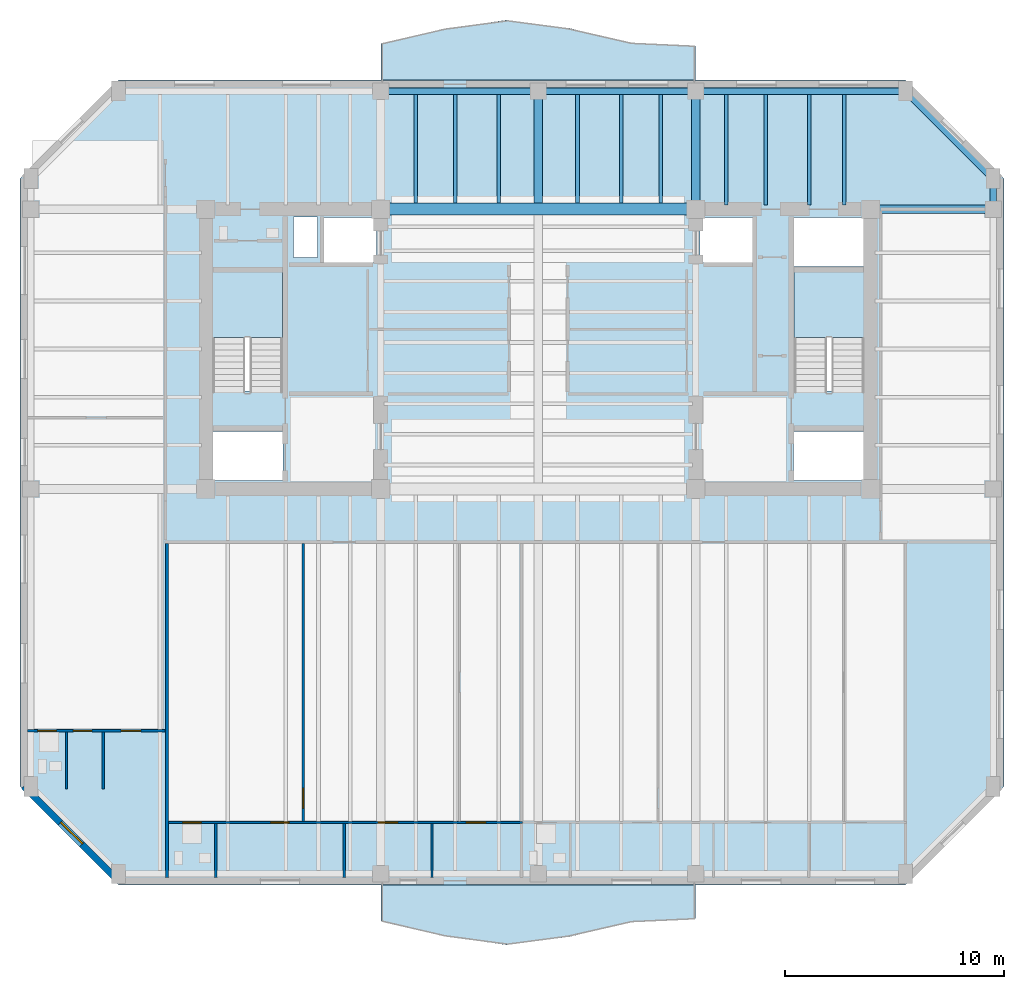
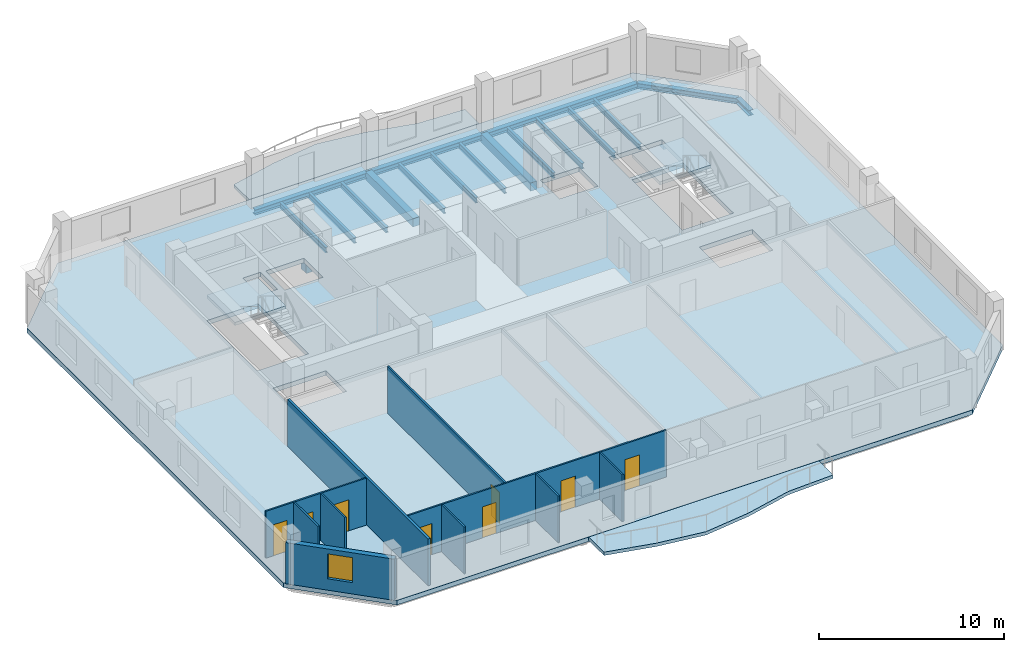
# One storey, part 2 of 11: 19 beams, 10 walls, 8 doors, 5 slabs, 1 window, 9 openings, 2 elements without a shape of their own.
"""IFC4 building model written with IfcOpenShell, lengths in metres."""

from ifc_helpers import new_model, si_unit, direction, frame, frame_2d, origin, origin_2d, place, context, subcontext, project, spatial, polyline, rectangle, i_section, outline, extrude, material, layer, layer_set, material_profile, profile_set, type_object, element, fill, aggregate, save


model = new_model("IFC4")

# Units and contexts
model_context = context("Model", 3, precision=1e-05, world=origin(), true_north=direction((0.0, 1.0)))
body_context = subcontext(model_context, "Body", "Model", "MODEL_VIEW")
ifc_project = project(units=[si_unit("LENGTHUNIT", "METRE"), si_unit("AREAUNIT", "SQUARE_METRE"), si_unit("VOLUMEUNIT", "CUBIC_METRE"), si_unit("PLANEANGLEUNIT", "RADIAN"), si_unit("MASSUNIT", "GRAM", prefix="KILO")], contexts=[model_context])

# Site, building, storey
site_placement = place(None, origin())
site = spatial("IfcSite", under=ifc_project, at=site_placement, CompositionType="ELEMENT")
building_placement = place(site_placement, origin())
building = spatial("IfcBuilding", under=site, at=building_placement, Name="Kranthara Brick Stack", CompositionType="ELEMENT")
storey_placement = place(building_placement, frame((0.0, 0.0, 210.89990234375)))
storey = spatial("IfcBuildingStorey", under=building, at=storey_placement, Name="L54", CompositionType="ELEMENT", Elevation=210.89990234375)

# Beams
ifc_material_1 = material(Name="Concrete C50/60", Category="concrete")
ifc_material_profile_1 = material_profile(ifc_material_1, rectangle(XDim=0.550048828125, YDim=0.85009765625, at=origin_2d()), Name="RC 550x850")
ifc_profile_set_1 = profile_set([ifc_material_profile_1], Name="Concrete C50/60")
beam_type_1 = type_object("IfcBeamType", Name="BM-CPL-RC850", PredefinedType="LINTEL", material=ifc_profile_set_1)
beam_1_placement = place(storey_placement, frame((20.800048828125, 33.60009765625, -0.724853515625), z_axis=(1.0, 0.0, 0.0), x_axis=(0.0, 1.0, 0.0)))
element("IfcBeam", 1, at=beam_1_placement, inside=storey, type_object=beam_type_1, Name="L54 Core Coupling Beam 002", PredefinedType="LINTEL", context=body_context, shape_type="SweptSolid", body=[
    extrude(rectangle(XDim=0.550048828125, YDim=0.85009765625, at=origin_2d()), origin(), (0.0, 0.0, 1.0), 14.39990234375),
])
ifc_material_2 = material(Name="Post-tensioned concrete C45/55", Category="concrete")
ifc_material_profile_2 = material_profile(ifc_material_2, rectangle(XDim=0.39990234375, YDim=0.550048828125, at=origin_2d()), Name="PT 400x550")
ifc_profile_set_2 = profile_set([ifc_material_profile_2], Name="Post-tensioned concrete C45/55")
beam_type_2 = type_object("IfcBeamType", Name="BM-FLR-PT550", PredefinedType="BEAM", material=ifc_profile_set_2)
beam_2_placement = place(storey_placement, frame((28.0, 33.875, -0.574951171875), z_axis=(0.0, 1.0, 0.0), x_axis=(-1.0, 0.0, 0.0)))
element("IfcBeam", 2, at=beam_2_placement, inside=storey, type_object=beam_type_2, Name="L54 Primary Grid Girder 027", PredefinedType="BEAM", context=body_context, shape_type="SweptSolid", body=[
    extrude(rectangle(XDim=0.39990234375, YDim=0.550048828125, at=origin_2d()), origin(), (0.0, 0.0, 1.0), 5.125),
])
beam_3_placement = place(storey_placement, frame((35.199951171875, 33.60009765625, -0.574951171875), z_axis=(0.0, 1.0, 0.0), x_axis=(-1.0, 0.0, 0.0)))
element("IfcBeam", 3, at=beam_3_placement, inside=storey, type_object=beam_type_2, Name="L54 Primary Grid Girder 029", PredefinedType="BEAM", context=body_context, shape_type="SweptSolid", body=[
    extrude(rectangle(XDim=0.39990234375, YDim=0.550048828125, at=origin_2d()), origin(), (0.0, 0.0, 1.0), 5.39990234375),
])
beam_4_placement = place(storey_placement, frame((43.199951171875, 33.60009765625, -0.574951171875), z_axis=(1.0, 0.0, 0.0), x_axis=(0.0, 1.0, 0.0)))
element("IfcBeam", 4, at=beam_4_placement, inside=storey, type_object=beam_type_2, Name="L54 Primary Grid Girder 033", PredefinedType="BEAM", context=body_context, shape_type="SweptSolid", body=[
    extrude(rectangle(XDim=0.39990234375, YDim=0.550048828125, at=origin_2d()), origin(), (0.0, 0.0, 1.0), 5.60009765625),
])
ifc_material_3 = material(Name="Steel S355", Category="steel")
ifc_material_profile_3 = material_profile(ifc_material_3, i_section(OverallWidth=0.169921875, OverallDepth=0.360107421875, WebThickness=0.008056640625, FlangeThickness=0.0126953125, at=origin_2d()), Name="IPE 360")
ifc_profile_set_3 = profile_set([ifc_material_profile_3], Name="Steel S355")
beam_type_3 = type_object("IfcBeamType", Name="BM-JST-IPE360", PredefinedType="JOIST", material=ifc_profile_set_3)
for number, where, z_axis, x_axis, name in (
    (5, (22.39990234375, 33.875, -0.47998046875), (0.0, 1.0, 0.0), (-1.0, 0.0, 0.0), "L54 North Wing Floor Joist 063"),
    (6, (24.199951171875, 33.875, -0.47998046875), (0.0, 1.0, 0.0), (-1.0, 0.0, 0.0), "L54 North Wing Floor Joist 065"),
    (7, (26.199951171875, 33.875, -0.47998046875), (0.0, 1.0, 0.0), (-1.0, 0.0, 0.0), "L54 North Wing Floor Joist 067"),
    (8, (29.800048828125, 33.875, -0.47998046875), (0.0, 1.0, 0.0), (-1.0, 0.0, 0.0), "L54 North Wing Floor Joist 069"),
    (9, (31.800048828125, 33.875, -0.47998046875), (0.0, 1.0, 0.0), (-1.0, 0.0, 0.0), "L54 North Wing Floor Joist 071"),
    (10, (33.60009765625, 33.875, -0.47998046875), (0.0, 1.0, 0.0), (-1.0, 0.0, 0.0), "L54 North Wing Floor Joist 073"),
):
    element("IfcBeam", number, at=place(storey_placement, frame(where, z_axis=z_axis, x_axis=x_axis)), inside=storey, type_object=beam_type_3, Name=name, PredefinedType="JOIST", context=body_context, shape_type="SweptSolid", body=[
        extrude(i_section(OverallWidth=0.169921875, OverallDepth=0.360107421875, WebThickness=0.008056640625, FlangeThickness=0.0126953125, at=origin_2d()), origin(), (0.0, 0.0, 1.0), 4.97509765625),
    ])
for number, where, z_axis, x_axis, name in (
    (11, (36.60009765625, 33.800048828125, -0.47998046875), (0.0, 1.0, 0.0), (-1.0, 0.0, 0.0), "L54 North Wing Floor Joist 075"),
    (12, (38.39990234375, 33.800048828125, -0.47998046875), (0.0, 1.0, 0.0), (-1.0, 0.0, 0.0), "L54 North Wing Floor Joist 077"),
    (13, (40.39990234375, 33.800048828125, -0.47998046875), (0.0, 1.0, 0.0), (-1.0, 0.0, 0.0), "L54 North Wing Floor Joist 079"),
    (14, (42.0, 33.800048828125, -0.47998046875), (0.0, 1.0, 0.0), (-1.0, 0.0, 0.0), "L54 North Wing Floor Joist 081"),
):
    element("IfcBeam", number, at=place(storey_placement, frame(where, z_axis=z_axis, x_axis=x_axis)), inside=storey, type_object=beam_type_3, Name=name, PredefinedType="JOIST", context=body_context, shape_type="SweptSolid", body=[
        extrude(i_section(OverallWidth=0.169921875, OverallDepth=0.360107421875, WebThickness=0.008056640625, FlangeThickness=0.0126953125, at=origin_2d()), origin(), (0.0, 0.0, 1.0), 5.050048828125),
    ])
ifc_material_4 = material(Name="Steel S355", Category="steel")
ifc_material_profile_4 = material_profile(ifc_material_4, i_section(OverallWidth=0.300048828125, OverallDepth=0.360107421875, WebThickness=0.012451171875, FlangeThickness=0.0224609375, at=origin_2d()), Name="HEB 360")
ifc_profile_set_4 = profile_set([ifc_material_profile_4], Name="Steel S355")
beam_type_4 = type_object("IfcBeamType", Name="BM-STL-HEB360", PredefinedType="SPANDREL", material=ifc_profile_set_4)
for number, where, z_axis, x_axis, name in (
    (15, (20.800048828125, 39.0, -0.47998046875), (1.0, 0.0, 0.0), (0.0, 1.0, 0.0), "L54 Perimeter Spandrel Beam 010"),
    (16, (28.0, 39.0, -0.47998046875), (1.0, 0.0, 0.0), (0.0, 1.0, 0.0), "L54 Perimeter Spandrel Beam 011"),
):
    element("IfcBeam", number, at=place(storey_placement, frame(where, z_axis=z_axis, x_axis=x_axis)), inside=storey, type_object=beam_type_4, Name=name, PredefinedType="SPANDREL", context=body_context, shape_type="SweptSolid", body=[
        extrude(i_section(OverallWidth=0.300048828125, OverallDepth=0.360107421875, WebThickness=0.012451171875, FlangeThickness=0.0224609375, at=origin_2d()), origin(), (0.0, 0.0, 1.0), 7.199951171875),
    ])
beam_5_placement = place(storey_placement, frame((35.199951171875, 39.0, -0.47998046875), z_axis=(1.0, 0.0, 0.0), x_axis=(0.0, 1.0, 0.0)))
element("IfcBeam", 17, at=beam_5_placement, inside=storey, type_object=beam_type_4, Name="L54 Perimeter Spandrel Beam 012", PredefinedType="SPANDREL", context=body_context, shape_type="SweptSolid", body=[
    extrude(i_section(OverallWidth=0.300048828125, OverallDepth=0.360107421875, WebThickness=0.012451171875, FlangeThickness=0.0224609375, at=origin_2d()), origin(), (0.0, 0.0, 1.0), 9.60009765625),
])
beam_6_placement = place(storey_placement, frame((48.800048828125, 33.60009765625, -0.47998046875), z_axis=(0.0, 1.0, 0.0), x_axis=(-1.0, 0.0, 0.0)))
element("IfcBeam", 18, at=beam_6_placement, inside=storey, type_object=beam_type_4, Name="L54 Perimeter Spandrel Beam 018", PredefinedType="SPANDREL", context=body_context, shape_type="SweptSolid", body=[
    extrude(i_section(OverallWidth=0.300048828125, OverallDepth=0.360107421875, WebThickness=0.012451171875, FlangeThickness=0.0224609375, at=origin_2d()), origin(), (0.0, 0.0, 1.0), 1.39990234375),
])
beam_7_placement = place(storey_placement, frame((44.800048828125, 39.0, -0.47998046875), z_axis=(0.707106781187, -0.707106781187, 0.0), x_axis=(0.707106781187, 0.707106781187, 0.0)))
element("IfcBeam", 19, at=beam_7_placement, inside=storey, type_object=beam_type_4, Name="L54 Chamfer Corner Spandrel 022", PredefinedType="SPANDREL", context=body_context, shape_type="SweptSolid", body=[
    extrude(i_section(OverallWidth=0.300048828125, OverallDepth=0.360107421875, WebThickness=0.012451171875, FlangeThickness=0.0224609375, at=origin_2d()), origin(), (0.0, 0.0, 1.0), 5.65673828125),
])

# Slabs
ifc_material_5 = material(Name="Concrete C45/55", Category="concrete")
ifc_layer_1 = layer(ifc_material_5, 0.219970703125)
ifc_layer_set_1 = layer_set([ifc_layer_1], Name="Concrete C45/55")
slab_type_1 = type_object("IfcSlabType", Name="SLB-BALC-220", PredefinedType="FLOOR", material=ifc_layer_set_1)
slab_1_placement = place(storey_placement, frame((0.0, 0.0, -0.219970703125)))
element("IfcSlab", 20, at=slab_1_placement, inside=storey, type_object=slab_type_1, Name="L54 South Rippling Balcony Slab", PredefinedType="FLOOR", context=body_context, shape_type="SweptSolid", body=[
    extrude(outline(polyline([(20.800048828125, 2.699951171875), (35.199951171875, 2.699951171875), (35.199951171875, 1.150146484375), (32.320068359375, 1.015625), (29.43994140625, 0.3271484375), (26.56005859375, -0.0498046875), (23.679931640625, 0.359130859375), (20.800048828125, 1.03955078125), (20.800048828125, 2.699951171875)])), origin(), (0.0, 0.0, 1.0), 0.219970703125),
])
slab_2_placement = place(storey_placement, frame((0.0, 0.0, -0.219970703125)))
element("IfcSlab", 21, at=slab_2_placement, inside=storey, type_object=slab_type_1, Name="L54 North Rippling Balcony Slab", PredefinedType="FLOOR", context=body_context, shape_type="SweptSolid", body=[
    extrude(outline(polyline([(35.199951171875, 39.5), (20.800048828125, 39.5), (20.800048828125, 41.16064453125), (23.679931640625, 41.8408203125), (26.56005859375, 42.249755859375), (29.43994140625, 41.872802734375), (32.320068359375, 41.184326171875), (35.199951171875, 41.0498046875), (35.199951171875, 39.5)])), origin(), (0.0, 0.0, 1.0), 0.219970703125),
])

# Stair, slab
ifc_material_6 = material(Name="Concrete C45/55", Category="concrete")
stair_type = type_object("IfcStairType", Name="ST-CORE-20R", PredefinedType="HALF_TURN_STAIR", material=ifc_material_6)
stair_1_placement = place(storey_placement, origin())
stair_1 = element("IfcStair", 22, at=stair_1_placement, inside=storey, type_object=stair_type, Name="L54 West Core Protected Exit Stair ST01", PredefinedType="HALF_TURN_STAIR")
ifc_material_7 = material(Name="Concrete C45/55", Category="concrete")
ifc_layer_2 = layer(ifc_material_7, 0.199951171875)
ifc_layer_set_2 = layer_set([ifc_layer_2], Name="Concrete C45/55")
slab_type_2 = type_object("IfcSlabType", Name="SLB-LANDING-200", PredefinedType="LANDING", material=ifc_layer_set_2)
slab_3_placement = place(storey_placement, frame((0.0, 0.0, 1.5)))
slab_3 = element("IfcSlab", 23, at=slab_3_placement, type_object=slab_type_2, Name="ST01 landing 1", PredefinedType="LANDING", context=body_context, shape_type="SweptSolid", body=[
    extrude(outline(polyline([(16.300048828125, 27.719970703125), (16.300048828125, 30.75), (13.10009765625, 30.75), (13.10009765625, 27.719970703125), (16.300048828125, 27.719970703125)])), origin(), (0.0, 0.0, 1.0), 0.2001953125),
])
aggregate(stair_1, [slab_3])

stair_2_placement = place(storey_placement, origin())
stair_2 = element("IfcStair", 24, at=stair_2_placement, inside=storey, type_object=stair_type, Name="L54 East Core Protected Exit Stair ST02", PredefinedType="HALF_TURN_STAIR")
slab_4_placement = place(storey_placement, frame((0.0, 0.0, 1.5)))
slab_4 = element("IfcSlab", 25, at=slab_4_placement, type_object=slab_type_2, Name="ST02 landing 1", PredefinedType="LANDING", context=body_context, shape_type="SweptSolid", body=[
    extrude(outline(polyline([(42.89990234375, 27.719970703125), (42.89990234375, 30.75), (39.699951171875, 30.75), (39.699951171875, 27.719970703125), (42.89990234375, 27.719970703125)])), origin(), (0.0, 0.0, 1.0), 0.2001953125),
])
aggregate(stair_2, [slab_4])

# Slab
ifc_material_8 = material(Name="Post-tensioned concrete C45/55", Category="concrete")
ifc_layer_3 = layer(ifc_material_8, 0.300048828125)
ifc_layer_set_3 = layer_set([ifc_layer_3], Name="Post-tensioned concrete C45/55")
slab_type_3 = type_object("IfcSlabType", Name="SLB-TWR-300", PredefinedType="FLOOR", material=ifc_layer_set_3)
slab_5_placement = place(storey_placement, frame((0.0, 0.0, -0.2998046875)))
element("IfcSlab", 26, at=slab_5_placement, inside=storey, type_object=slab_type_3, Name="L54 Structural Floor Plate", PredefinedType="FLOOR", context=body_context, shape_type="SweptSolid", body=[
    extrude(outline(polyline([(8.800048828125, 2.699951171875), (44.800048828125, 2.699951171875), (49.300048828125, 7.199951171875), (49.300048828125, 35.0), (44.800048828125, 39.5), (8.800048828125, 39.5), (4.300048828125, 35.0), (4.300048828125, 7.199951171875), (8.800048828125, 2.699951171875)]), holes=[polyline([(13.10009765625, 25.280029296875), (16.300048828125, 25.280029296875), (16.300048828125, 30.75), (13.10009765625, 30.75), (13.10009765625, 25.280029296875)]), polyline([(39.699951171875, 25.280029296875), (42.89990234375, 25.280029296875), (42.89990234375, 30.75), (39.699951171875, 30.75), (39.699951171875, 25.280029296875)]), polyline([(13.0, 21.179931640625), (16.320068359375, 21.179931640625), (16.320068359375, 23.419921875), (13.0, 23.419921875), (13.0, 21.179931640625)]), polyline([(39.679931640625, 21.179931640625), (43.0, 21.179931640625), (43.0, 23.419921875), (39.679931640625, 23.419921875), (39.679931640625, 21.179931640625)]), polyline([(39.679931640625, 30.97998046875), (43.0, 30.97998046875), (43.0, 33.219970703125), (39.679931640625, 33.219970703125), (39.679931640625, 30.97998046875)]), polyline([(18.199951171875, 31.14990234375), (20.60009765625, 31.14990234375), (20.60009765625, 33.219970703125), (18.199951171875, 33.219970703125), (18.199951171875, 31.14990234375)]), polyline([(35.39990234375, 31.14990234375), (37.800048828125, 31.14990234375), (37.800048828125, 33.219970703125), (35.39990234375, 33.219970703125), (35.39990234375, 31.14990234375)]), polyline([(16.800048828125, 31.39990234375), (17.89990234375, 31.39990234375), (17.89990234375, 33.25), (16.800048828125, 33.25), (16.800048828125, 31.39990234375)])]), origin(), (0.0, 0.0, 1.0), 0.2998046875),
])

# Wall, opening, window
ifc_material_9 = material(Name="Warm buff clay brick masonry M15", Category="masonry")
ifc_layer_4 = layer(ifc_material_9, 0.320068359375)
ifc_layer_set_4 = layer_set([ifc_layer_4], Name="Warm buff clay brick masonry M15")
wall_type_1 = type_object("IfcWallType", Name="WL-BRK-UPPR-320", PredefinedType="STANDARD", material=ifc_layer_set_4)
wall_1_placement = place(storey_placement, frame((8.800048828125, 2.8798828125, 0.0), z_axis=(0.0, 0.0, 1.0), x_axis=(-0.707106781187, 0.707106781187, 0.0)))
wall_1 = element("IfcWall", 27, at=wall_1_placement, inside=storey, type_object=wall_type_1, Name="L54 Exterior Brick Facade Wall SW 1", PredefinedType="STANDARD", context=body_context, shape_type="SweptSolid", body=[
    extrude(rectangle(XDim=6.109619140625, YDim=0.320068359375, at=frame_2d((3.0546875, 0.0))), origin(), (0.0, 0.0, 1.0), 2.72509765625),
])
opening_1_placement = place(wall_1_placement, frame((2.35498046875, 0.0, 0.75)))
opening_1 = element("IfcOpeningElement", 28, at=opening_1_placement, cuts=wall_1, Name="Opening WN10", PredefinedType="OPENING", context=body_context, shape_type="SweptSolid", body=[
    extrude(rectangle(XDim=1.39990234375, YDim=1.64990234375, at=frame_2d((0.699951171875, 0.824951171875))), frame((0.0, 0.169921875, 0.0), z_axis=(0.0, -1.0, 0.0), x_axis=(1.0, 0.0, 0.0)), (0.0, 0.0, 1.0), 0.340087890625),
])
ifc_material_10 = material(Name="Double-glazed low-E solar control glass", Category="glass")
window_type = type_object("IfcWindowType", Name="WN-CHM-1400x1750", PartitioningType="SINGLE_PANEL", PredefinedType="WINDOW", material=ifc_material_10)
window_placement = place(opening_1_placement, origin())
window = element("IfcWindow", 29, at=window_placement, inside=storey, type_object=window_type, Name="L54 SW Chamfer Corner Window", OverallHeight=1.64990234375, OverallWidth=1.39990234375, PartitioningType="SINGLE_PANEL", PredefinedType="WINDOW", context=body_context, shape_type="SweptSolid", body=[
    extrude(rectangle(XDim=1.39990234375, YDim=1.64990234375, at=frame_2d((0.699951171875, 0.824951171875))), frame((0.0, -0.010009765625, 0.0), z_axis=(0.0, -1.0, 0.0), x_axis=(1.0, 0.0, 0.0)), (0.0, 0.0, 1.0), 0.06005859375),
])
fill(opening_1, window)

# Wall, openings, doors
ifc_material_11 = material(Name="Moisture-resistant wet-room partition", Category="other")
ifc_layer_5 = layer(ifc_material_11, 0.10009765625)
ifc_layer_set_5 = layer_set([ifc_layer_5], Name="Moisture-resistant wet-room partition")
wall_type_2 = type_object("IfcWallType", Name="WL-PART-100", PredefinedType="PARTITIONING", material=ifc_layer_set_5)
wall_2_placement = place(storey_placement, frame((11.10009765625, 5.550048828125, 0.0), z_axis=(0.0, 0.0, 1.0), x_axis=(1.0, 0.0, 0.0)))
wall_2 = element("IfcWall", 30, at=wall_2_placement, inside=storey, type_object=wall_type_2, Name="L54 Interior Partition 014", PredefinedType="PARTITIONING", context=body_context, shape_type="SweptSolid", body=[
    extrude(rectangle(XDim=16.173828125, YDim=0.10009765625, at=frame_2d((8.0869140625, 0.0))), origin(), (0.0, 0.0, 1.0), 3.10009765625),
])
opening_2_placement = place(wall_2_placement, frame((0.64990234375, 0.0, 0.0)))
opening_2 = element("IfcOpeningElement", 31, at=opening_2_placement, cuts=wall_2, Name="Opening D17", PredefinedType="OPENING", context=body_context, shape_type="SweptSolid", body=[
    extrude(rectangle(XDim=0.85009765625, YDim=2.050048828125, at=frame_2d((0.425048828125, 1.02490234375))), frame((0.0, 0.06005859375, 0.0), z_axis=(0.0, -1.0, 0.0), x_axis=(1.0, 0.0, 0.0)), (0.0, 0.0, 1.0), 0.1201171875),
])
opening_3_placement = place(wall_2_placement, frame((4.6640625, 0.0, 0.0)))
opening_3 = element("IfcOpeningElement", 32, at=opening_3_placement, cuts=wall_2, Name="Opening D16", PredefinedType="OPENING", context=body_context, shape_type="SweptSolid", body=[
    extrude(rectangle(XDim=0.85009765625, YDim=2.050048828125, at=frame_2d((0.425048828125, 1.02490234375))), frame((0.0, 0.06005859375, 0.0), z_axis=(0.0, -1.0, 0.0), x_axis=(1.0, 0.0, 0.0)), (0.0, 0.0, 1.0), 0.1201171875),
])
opening_4_placement = place(wall_2_placement, frame((9.583984375, 0.0, 0.0)))
opening_4 = element("IfcOpeningElement", 33, at=opening_4_placement, cuts=wall_2, Name="Opening D15", PredefinedType="OPENING", context=body_context, shape_type="SweptSolid", body=[
    extrude(rectangle(XDim=0.89990234375, YDim=2.050048828125, at=frame_2d((0.449951171875, 1.02490234375))), frame((0.0, 0.06005859375, 0.0), z_axis=(0.0, -1.0, 0.0), x_axis=(1.0, 0.0, 0.0)), (0.0, 0.0, 1.0), 0.1201171875),
])
opening_5_placement = place(wall_2_placement, frame((13.597900390625, 0.0, 0.0)))
opening_5 = element("IfcOpeningElement", 34, at=opening_5_placement, cuts=wall_2, Name="Opening D15", PredefinedType="OPENING", context=body_context, shape_type="SweptSolid", body=[
    extrude(rectangle(XDim=0.89990234375, YDim=2.050048828125, at=frame_2d((0.449951171875, 1.02490234375))), frame((0.0, 0.06005859375, 0.0), z_axis=(0.0, -1.0, 0.0), x_axis=(1.0, 0.0, 0.0)), (0.0, 0.0, 1.0), 0.1201171875),
])
ifc_material_12 = material(Name="Solid-core hardwood timber leaf in steel frame", Category="steel")
door_type_1 = type_object("IfcDoorType", Name="DR-INT-850", OperationType="NOTDEFINED", PredefinedType="DOOR", material=ifc_material_12)
door_1_placement = place(opening_3_placement, origin())
door_1 = element("IfcDoor", 35, at=door_1_placement, inside=storey, type_object=door_type_1, Name="L54 Unit L54A Kitchen 14", OperationType="SINGLE_SWING_RIGHT", OverallHeight=2.050048828125, OverallWidth=0.85009765625, PredefinedType="DOOR", context=body_context, shape_type="SweptSolid", body=[
    extrude(rectangle(XDim=0.85009765625, YDim=2.050048828125, at=frame_2d((0.425048828125, 1.02490234375))), frame((0.0, 0.02490234375, 0.0), z_axis=(0.0, -1.0, 0.0), x_axis=(1.0, 0.0, 0.0)), (0.0, 0.0, 1.0), 0.050048828125),
])
fill(opening_3, door_1)
ifc_material_13 = material(Name="Solid-core hardwood timber leaf in steel frame", Category="steel")
door_type_2 = type_object("IfcDoorType", Name="DR-INT-900", OperationType="NOTDEFINED", PredefinedType="DOOR", material=ifc_material_13)
door_2_placement = place(opening_4_placement, origin())
door_2 = element("IfcDoor", 36, at=door_2_placement, inside=storey, type_object=door_type_2, Name="L54 Unit L54A Master Bedroom 15", OperationType="SINGLE_SWING_LEFT", OverallHeight=2.050048828125, OverallWidth=0.89990234375, PredefinedType="DOOR", context=body_context, shape_type="SweptSolid", body=[
    extrude(rectangle(XDim=0.89990234375, YDim=2.050048828125, at=frame_2d((0.449951171875, 1.02490234375))), frame((0.0, 0.02490234375, 0.0), z_axis=(0.0, -1.0, 0.0), x_axis=(1.0, 0.0, 0.0)), (0.0, 0.0, 1.0), 0.050048828125),
])
fill(opening_4, door_2)
door_3_placement = place(opening_5_placement, origin())
door_3 = element("IfcDoor", 37, at=door_3_placement, inside=storey, type_object=door_type_2, Name="L54 Unit L54A Bedroom 2 16", OperationType="SINGLE_SWING_RIGHT", OverallHeight=2.050048828125, OverallWidth=0.89990234375, PredefinedType="DOOR", context=body_context, shape_type="SweptSolid", body=[
    extrude(rectangle(XDim=0.89990234375, YDim=2.050048828125, at=frame_2d((0.449951171875, 1.02490234375))), frame((0.0, 0.02490234375, 0.0), z_axis=(0.0, -1.0, 0.0), x_axis=(1.0, 0.0, 0.0)), (0.0, 0.0, 1.0), 0.050048828125),
])
fill(opening_5, door_3)
ifc_material_14 = material(Name="Solid-core hardwood timber leaf in steel frame", Category="steel")
door_type_3 = type_object("IfcDoorType", Name="DR-WET-850", OperationType="NOTDEFINED", PredefinedType="DOOR", material=ifc_material_14)
door_4_placement = place(opening_2_placement, origin())
door_4 = element("IfcDoor", 38, at=door_4_placement, inside=storey, type_object=door_type_3, Name="L54 Unit L54A Bathroom 13", OperationType="SINGLE_SWING_LEFT", OverallHeight=2.050048828125, OverallWidth=0.85009765625, PredefinedType="DOOR", context=body_context, shape_type="SweptSolid", body=[
    extrude(rectangle(XDim=0.85009765625, YDim=2.050048828125, at=frame_2d((0.425048828125, 1.02490234375))), frame((0.0, 0.02490234375, 0.0), z_axis=(0.0, -1.0, 0.0), x_axis=(1.0, 0.0, 0.0)), (0.0, 0.0, 1.0), 0.050048828125),
])
fill(opening_2, door_4)

# Wall, opening, door
wall_3_placement = place(storey_placement, frame((17.256103515625, 5.60498046875, 0.0), z_axis=(0.0, 0.0, 1.0), x_axis=(0.0, 1.0, 0.0)))
wall_3 = element("IfcWall", 39, at=wall_3_placement, inside=storey, type_object=wall_type_2, Name="L54 Interior Partition 016", PredefinedType="PARTITIONING", context=body_context, shape_type="SweptSolid", body=[
    extrude(rectangle(XDim=12.695068359375, YDim=0.10009765625, at=frame_2d((6.34765625, 0.0))), origin(), (0.0, 0.0, 1.0), 3.10009765625),
])
opening_6_placement = place(wall_3_placement, frame((0.60498046875, 0.0, 0.0)))
opening_6 = element("IfcOpeningElement", 40, at=opening_6_placement, cuts=wall_3, Name="Opening D15", PredefinedType="OPENING", context=body_context, shape_type="SweptSolid", body=[
    extrude(rectangle(XDim=0.89990234375, YDim=2.050048828125, at=frame_2d((0.449951171875, 1.02490234375))), frame((0.0, 0.06005859375, 0.0), z_axis=(0.0, -1.0, 0.0), x_axis=(1.0, 0.0, 0.0)), (0.0, 0.0, 1.0), 0.1201171875),
])
door_5_placement = place(opening_6_placement, origin())
door_5 = element("IfcDoor", 41, at=door_5_placement, inside=storey, type_object=door_type_2, Name="L54 Unit L54A Study 12", OperationType="SINGLE_SWING_RIGHT", OverallHeight=2.050048828125, OverallWidth=0.89990234375, PredefinedType="DOOR", context=body_context, shape_type="SweptSolid", body=[
    extrude(rectangle(XDim=0.89990234375, YDim=2.050048828125, at=frame_2d((0.449951171875, 1.02490234375))), frame((0.0, 0.02490234375, 0.0), z_axis=(0.0, -1.0, 0.0), x_axis=(1.0, 0.0, 0.0)), (0.0, 0.0, 1.0), 0.050048828125),
])
fill(opening_6, door_5)

# Walls
for number, where, z_axis, x_axis, name in (
    (42, (13.25, 3.044921875, 0.0), (0.0, 0.0, 1.0), (0.0, 1.0, 0.0), "L54 Interior Partition 017"),
    (43, (19.126953125, 3.044921875, 0.0), (0.0, 0.0, 1.0), (0.0, 1.0, 0.0), "L54 Interior Partition 018"),
    (44, (23.14111328125, 3.044921875, 0.0), (0.0, 0.0, 1.0), (0.0, 1.0, 0.0), "L54 Interior Partition 019"),
):
    element("IfcWall", number, at=place(storey_placement, frame(where, z_axis=z_axis, x_axis=x_axis)), inside=storey, type_object=wall_type_2, Name=name, PredefinedType="PARTITIONING", context=body_context, shape_type="SweptSolid", body=[
        extrude(rectangle(XDim=2.4501953125, YDim=0.10009765625, at=frame_2d((1.22509765625, 0.0))), origin(), (0.0, 0.0, 1.0), 3.10009765625),
    ])

# Wall, openings, doors
wall_4_placement = place(storey_placement, frame((4.64501953125, 9.75, 0.0), z_axis=(0.0, 0.0, 1.0), x_axis=(1.0, 0.0, 0.0)))
wall_4 = element("IfcWall", 45, at=wall_4_placement, inside=storey, type_object=wall_type_2, Name="L54 Interior Partition 033", PredefinedType="PARTITIONING", context=body_context, shape_type="SweptSolid", body=[
    extrude(rectangle(XDim=6.294921875, YDim=0.10009765625, at=frame_2d((3.1474609375, 0.0))), origin(), (0.0, 0.0, 1.0), 3.10009765625),
])
opening_7_placement = place(wall_4_placement, frame((0.471923828125, 0.0, 0.0)))
opening_7 = element("IfcOpeningElement", 46, at=opening_7_placement, cuts=wall_4, Name="Opening D17", PredefinedType="OPENING", context=body_context, shape_type="SweptSolid", body=[
    extrude(rectangle(XDim=0.85009765625, YDim=2.050048828125, at=frame_2d((0.425048828125, 1.02490234375))), frame((0.0, 0.06005859375, 0.0), z_axis=(0.0, -1.0, 0.0), x_axis=(1.0, 0.0, 0.0)), (0.0, 0.0, 1.0), 0.1201171875),
])
opening_8_placement = place(wall_4_placement, frame((2.092041015625, 0.0, 0.0)))
opening_8 = element("IfcOpeningElement", 47, at=opening_8_placement, cuts=wall_4, Name="Opening D16", PredefinedType="OPENING", context=body_context, shape_type="SweptSolid", body=[
    extrude(rectangle(XDim=0.85009765625, YDim=2.050048828125, at=frame_2d((0.425048828125, 1.02490234375))), frame((0.0, 0.06005859375, 0.0), z_axis=(0.0, -1.0, 0.0), x_axis=(1.0, 0.0, 0.0)), (0.0, 0.0, 1.0), 0.1201171875),
])
opening_9_placement = place(wall_4_placement, frame((4.284912109375, 0.0, 0.0)))
opening_9 = element("IfcOpeningElement", 48, at=opening_9_placement, cuts=wall_4, Name="Opening D15", PredefinedType="OPENING", context=body_context, shape_type="SweptSolid", body=[
    extrude(rectangle(XDim=0.89990234375, YDim=2.050048828125, at=frame_2d((0.449951171875, 1.02490234375))), frame((0.0, 0.06005859375, 0.0), z_axis=(0.0, -1.0, 0.0), x_axis=(1.0, 0.0, 0.0)), (0.0, 0.0, 1.0), 0.1201171875),
])
door_6_placement = place(opening_8_placement, origin())
door_6 = element("IfcDoor", 49, at=door_6_placement, inside=storey, type_object=door_type_1, Name="L54 Unit L54C Kitchen 27", OperationType="SINGLE_SWING_LEFT", OverallHeight=2.050048828125, OverallWidth=0.85009765625, PredefinedType="DOOR", context=body_context, shape_type="SweptSolid", body=[
    extrude(rectangle(XDim=0.85009765625, YDim=2.050048828125, at=frame_2d((0.425048828125, 1.02490234375))), frame((0.0, 0.02490234375, 0.0), z_axis=(0.0, -1.0, 0.0), x_axis=(1.0, 0.0, 0.0)), (0.0, 0.0, 1.0), 0.050048828125),
])
fill(opening_8, door_6)
door_7_placement = place(opening_9_placement, origin())
door_7 = element("IfcDoor", 50, at=door_7_placement, inside=storey, type_object=door_type_2, Name="L54 Unit L54C Bedroom 28", OperationType="SINGLE_SWING_RIGHT", OverallHeight=2.050048828125, OverallWidth=0.89990234375, PredefinedType="DOOR", context=body_context, shape_type="SweptSolid", body=[
    extrude(rectangle(XDim=0.89990234375, YDim=2.050048828125, at=frame_2d((0.449951171875, 1.02490234375))), frame((0.0, 0.02490234375, 0.0), z_axis=(0.0, -1.0, 0.0), x_axis=(1.0, 0.0, 0.0)), (0.0, 0.0, 1.0), 0.050048828125),
])
fill(opening_9, door_7)
door_8_placement = place(opening_7_placement, origin())
door_8 = element("IfcDoor", 51, at=door_8_placement, inside=storey, type_object=door_type_3, Name="L54 Unit L54C Bathroom 26", OperationType="SINGLE_SWING_RIGHT", OverallHeight=2.050048828125, OverallWidth=0.85009765625, PredefinedType="DOOR", context=body_context, shape_type="SweptSolid", body=[
    extrude(rectangle(XDim=0.85009765625, YDim=2.050048828125, at=frame_2d((0.425048828125, 1.02490234375))), frame((0.0, 0.02490234375, 0.0), z_axis=(0.0, -1.0, 0.0), x_axis=(1.0, 0.0, 0.0)), (0.0, 0.0, 1.0), 0.050048828125),
])
fill(opening_7, door_8)

# Walls
for number, where, z_axis, x_axis, name in (
    (52, (6.425048828125, 7.080078125, 0.0), (0.0, 0.0, 1.0), (0.0, 1.0, 0.0), "L54 Interior Partition 035"),
    (53, (8.110107421875, 7.080078125, 0.0), (0.0, 0.0, 1.0), (0.0, 1.0, 0.0), "L54 Interior Partition 036"),
):
    element("IfcWall", number, at=place(storey_placement, frame(where, z_axis=z_axis, x_axis=x_axis)), inside=storey, type_object=wall_type_2, Name=name, PredefinedType="PARTITIONING", context=body_context, shape_type="SweptSolid", body=[
        extrude(rectangle(XDim=2.614990234375, YDim=0.10009765625, at=frame_2d((1.3076171875, 0.0))), origin(), (0.0, 0.0, 1.0), 3.10009765625),
    ])
ifc_material_15 = material(Name="Fire-rated gypsum board partition", Category="other")
ifc_layer_6 = layer(ifc_material_15, 0.14990234375)
ifc_layer_set_6 = layer_set([ifc_layer_6], Name="Fire-rated gypsum board partition")
wall_type_3 = type_object("IfcWallType", Name="WL-PART-150", PredefinedType="PARTITIONING", material=ifc_layer_set_6)
wall_5_placement = place(storey_placement, frame((11.02001953125, 3.044921875, 0.0), z_axis=(0.0, 0.0, 1.0), x_axis=(0.0, 1.0, 0.0)))
element("IfcWall", 54, at=wall_5_placement, inside=storey, type_object=wall_type_3, Name="L54 Interior Partition 013", PredefinedType="PARTITIONING", context=body_context, shape_type="SweptSolid", body=[
    extrude(rectangle(XDim=15.255126953125, YDim=0.14990234375, at=frame_2d((7.62744140625, 0.0))), origin(), (0.0, 0.0, 1.0), 3.10009765625),
])

save(model, "model.ifc")
